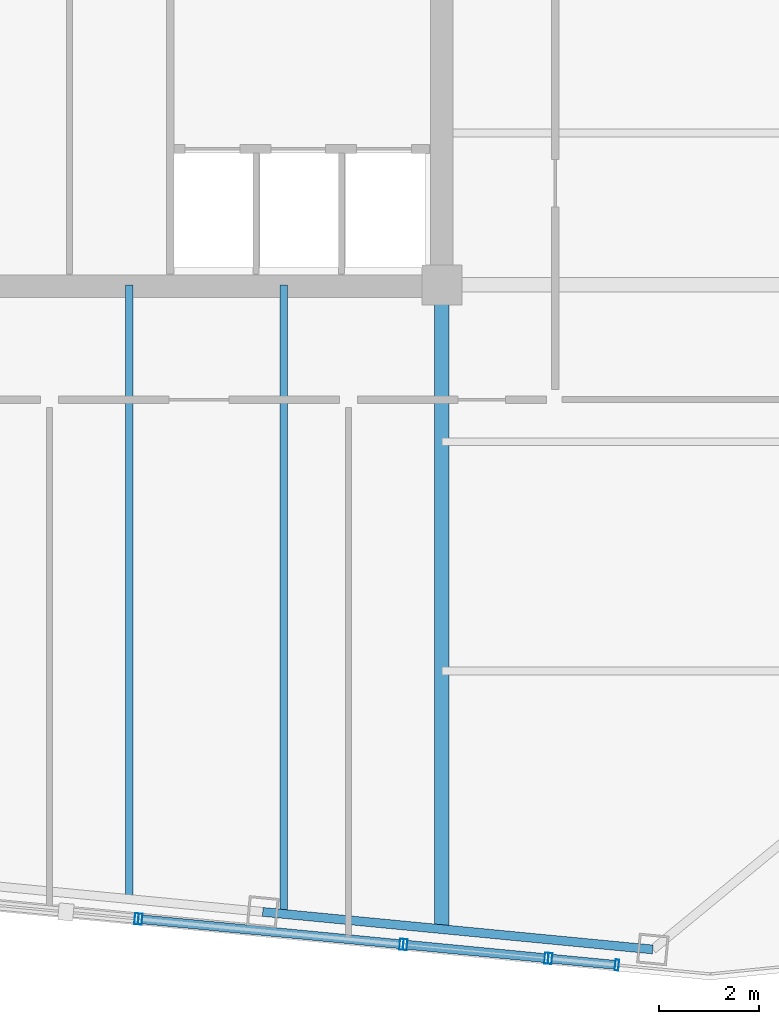
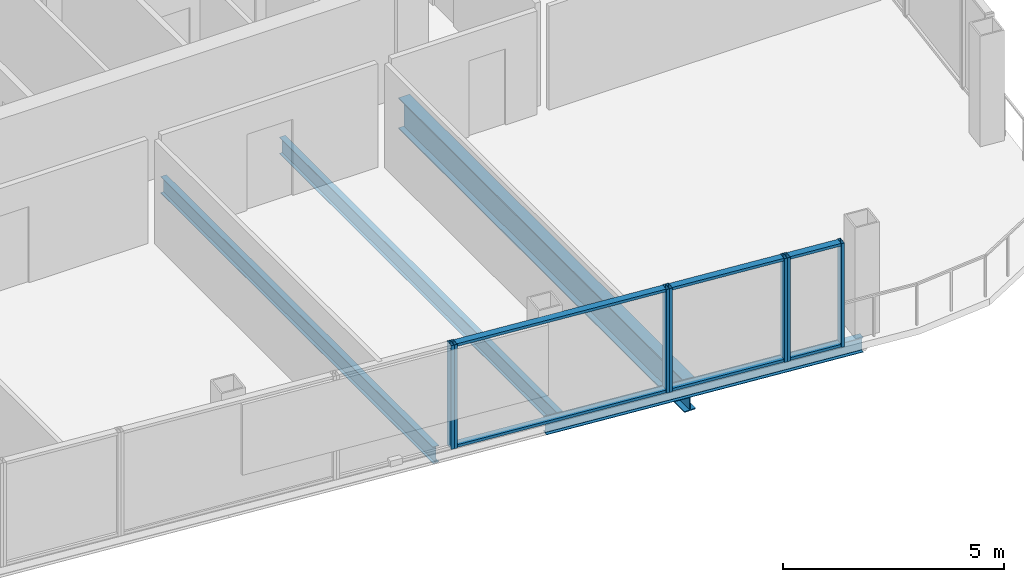
# One storey, part 5 of 23: 13 members, 4 beams, 4 elements without a shape of their own.
"""IFC4 building model written with IfcOpenShell, lengths in metres."""

from ifc_helpers import new_model, si_unit, direction, frame, origin, origin_2d, place, context, subcontext, project, spatial, hollow_rectangle, i_section, extrude, material, layer, layer_set, material_profile, profile_set, type_object, element, aggregate, save


model = new_model("IFC4")

# Units and contexts
model_context = context("Model", 3, precision=1e-05, world=origin(), true_north=direction((0.0, 1.0)))
body_context = subcontext(model_context, "Body", "Model", "MODEL_VIEW")
ifc_project = project(units=[si_unit("LENGTHUNIT", "METRE"), si_unit("AREAUNIT", "SQUARE_METRE"), si_unit("VOLUMEUNIT", "CUBIC_METRE"), si_unit("PLANEANGLEUNIT", "RADIAN"), si_unit("MASSUNIT", "GRAM", prefix="KILO")], contexts=[model_context])

# Site, building, storey
site_placement = place(None, origin())
site = spatial("IfcSite", under=ifc_project, at=site_placement, CompositionType="ELEMENT")
building_placement = place(site_placement, origin())
building = spatial("IfcBuilding", under=site, at=building_placement, Name="Qhalaya Broadcast Tower", CompositionType="ELEMENT")
storey_placement = place(building_placement, frame((0.0, 0.0, 261.14990234375)))
storey = spatial("IfcBuildingStorey", under=building, at=storey_placement, Name="L77", CompositionType="ELEMENT", Elevation=261.14990234375)

# Beams
ifc_material_1 = material(Name="Structural Steel ASTM A992 Grade 50", Category="steel")
ifc_material_profile_1 = material_profile(ifc_material_1, i_section(OverallWidth=0.154052734375, OverallDepth=0.458984375, WebThickness=0.009033203125, FlangeThickness=0.015380859375, at=origin_2d()), Name="W18X46")
ifc_profile_set_1 = profile_set([ifc_material_profile_1], Name="Structural Steel ASTM A992 Grade 50")
beam_type_1 = type_object("IfcBeamType", Name="Composite Floor Joist J04", PredefinedType="JOIST", material=ifc_profile_set_1)
beam_1_placement = place(storey_placement, frame((3.10009765625, -21.058349609375, -0.41943359375), z_axis=(0.0, 1.0, 0.0), x_axis=(-1.0, 0.0, 0.0)))
element("IfcBeam", 1, at=beam_1_placement, inside=storey, type_object=beam_type_1, Name="L77 J04 L77-JNS4-1", PredefinedType="JOIST", context=body_context, shape_type="SweptSolid", body=[
    extrude(i_section(OverallWidth=0.154052734375, OverallDepth=0.458984375, WebThickness=0.009033203125, FlangeThickness=0.015380859375, at=origin_2d()), origin(), (0.0, 0.0, 1.0), 12.308349609375),
])
beam_2_placement = place(storey_placement, frame((6.199951171875, -21.35693359375, -0.41943359375), z_axis=(0.0, 1.0, 0.0), x_axis=(-1.0, 0.0, 0.0)))
element("IfcBeam", 2, at=beam_2_placement, inside=storey, type_object=beam_type_1, Name="L77 J04 L77-JNS5-1", PredefinedType="JOIST", context=body_context, shape_type="SweptSolid", body=[
    extrude(i_section(OverallWidth=0.154052734375, OverallDepth=0.458984375, WebThickness=0.009033203125, FlangeThickness=0.015380859375, at=origin_2d()), origin(), (0.0, 0.0, 1.0), 12.60693359375),
])

# Curtain wall, member
ifc_material_2 = material(Name="Solar-Control Low-E Triple Glazing", Category="glass")
ifc_layer_1 = layer(ifc_material_2, 0.219970703125, Name="Solar-Control Low-E Triple Glazing")
ifc_layer_set_1 = layer_set([ifc_layer_1], Name="Solar-Control Low-E Triple Glazing")
curtain_wall_type_1 = type_object("IfcCurtainWallType", Name="High-Altitude Upper-Shaft Triple Low-E Curtain Wall CW-04", PredefinedType="NOTDEFINED", material=ifc_layer_set_1)
curtain_wall_1_placement = place(storey_placement, origin())
curtain_wall_1 = element("IfcCurtainWall", 3, at=curtain_wall_1_placement, inside=storey, type_object=curtain_wall_type_1, Name="L77 Unitised Curtain Wall L77-CW-S4", PredefinedType="NOTDEFINED")
ifc_material_3 = material(Name="Anodised Aluminium 6063-T6", Category="aluminium")
ifc_material_profile_2 = material_profile(ifc_material_3, hollow_rectangle(XDim=0.074951171875, YDim=0.219970703125, WallThickness=0.00390625, at=origin_2d()), Name="ALU-MUL 75x220x4")
ifc_profile_set_2 = profile_set([ifc_material_profile_2], Name="Anodised Aluminium 6063-T6")
member_type_1 = type_object("IfcMemberType", Name="Unitised Curtain-Wall Mullion M01", PredefinedType="MULLION", material=ifc_profile_set_2)
member_1_placement = place(storey_placement, frame((3.244140625, -21.47412109375, 0.0), z_axis=(0.0, 0.0, 1.0), x_axis=(0.995397805992, -0.095829055234, 0.0)))
member_1 = element("IfcMember", 4, at=member_1_placement, type_object=member_type_1, Name="CW-04 mullion 2", PredefinedType="MULLION", context=body_context, shape_type="SweptSolid", body=[
    extrude(hollow_rectangle(XDim=0.074951171875, YDim=0.219970703125, WallThickness=0.00390625, at=origin_2d()), origin(), (0.0, 0.0, 1.0), 2.860107421875),
])
aggregate(curtain_wall_1, [member_1])

# Curtain wall, members
ifc_material_4 = material(Name="Fired Architectural Terracotta", Category="masonry")
ifc_layer_2 = layer(ifc_material_4, 0.219970703125, Name="Fired Architectural Terracotta")
ifc_layer_set_2 = layer_set([ifc_layer_2], Name="Fired Architectural Terracotta")
curtain_wall_type_2 = type_object("IfcCurtainWallType", Name="Block-Cap Unitised Terracotta Spandrel Wall CW-07", PredefinedType="NOTDEFINED", material=ifc_layer_set_2)
curtain_wall_2_placement = place(storey_placement, origin())
curtain_wall_2 = element("IfcCurtainWall", 5, at=curtain_wall_2_placement, inside=storey, type_object=curtain_wall_type_2, Name="L77 Unitised Curtain Wall L77-CW-S5", PredefinedType="NOTDEFINED")
member_2_placement = place(storey_placement, frame((3.31884765625, -21.4814453125, 0.0), z_axis=(0.0, 0.0, 1.0), x_axis=(0.995396263968, -0.095845071223, 0.0)))
member_2 = element("IfcMember", 6, at=member_2_placement, type_object=member_type_1, Name="CW-07 mullion 1", PredefinedType="MULLION", context=body_context, shape_type="SweptSolid", body=[
    extrude(hollow_rectangle(XDim=0.074951171875, YDim=0.219970703125, WallThickness=0.00390625, at=origin_2d()), origin(), (0.0, 0.0, 1.0), 2.860107421875),
])
member_3_placement = place(storey_placement, frame((8.5625, -21.986328125, 0.0), z_axis=(0.0, 0.0, 1.0), x_axis=(0.995396263968, -0.095845071223, 0.0)))
member_3 = element("IfcMember", 7, at=member_3_placement, type_object=member_type_1, Name="CW-07 mullion 2", PredefinedType="MULLION", context=body_context, shape_type="SweptSolid", body=[
    extrude(hollow_rectangle(XDim=0.074951171875, YDim=0.219970703125, WallThickness=0.00390625, at=origin_2d()), origin(), (0.0, 0.0, 1.0), 2.860107421875),
])

curtain_wall_3_placement = place(storey_placement, origin())
curtain_wall_3 = element("IfcCurtainWall", 8, at=curtain_wall_3_placement, inside=storey, type_object=curtain_wall_type_1, Name="L77 Unitised Curtain Wall L77-CW-S6", PredefinedType="NOTDEFINED")
member_4_placement = place(storey_placement, frame((8.63720703125, -21.993408203125, 0.0), z_axis=(0.0, 0.0, 1.0), x_axis=(0.995394978082, -0.095858424822, 0.0)))
member_4 = element("IfcMember", 9, at=member_4_placement, type_object=member_type_1, Name="CW-04 mullion 1", PredefinedType="MULLION", context=body_context, shape_type="SweptSolid", body=[
    extrude(hollow_rectangle(XDim=0.074951171875, YDim=0.219970703125, WallThickness=0.00390625, at=origin_2d()), origin(), (0.0, 0.0, 1.0), 2.860107421875),
])
member_5_placement = place(storey_placement, frame((11.47216796875, -22.2666015625, 0.0), z_axis=(0.0, 0.0, 1.0), x_axis=(0.995394978082, -0.095858424822, 0.0)))
member_5 = element("IfcMember", 10, at=member_5_placement, type_object=member_type_1, Name="CW-04 mullion 2", PredefinedType="MULLION", context=body_context, shape_type="SweptSolid", body=[
    extrude(hollow_rectangle(XDim=0.074951171875, YDim=0.219970703125, WallThickness=0.00390625, at=origin_2d()), origin(), (0.0, 0.0, 1.0), 2.860107421875),
])

curtain_wall_4_placement = place(storey_placement, origin())
curtain_wall_4 = element("IfcCurtainWall", 11, at=curtain_wall_4_placement, inside=storey, type_object=curtain_wall_type_2, Name="L77 Unitised Curtain Wall L77-CW-S7", PredefinedType="NOTDEFINED")
member_6_placement = place(storey_placement, frame((11.546875, -22.273681640625, 0.0), z_axis=(0.0, 0.0, 1.0), x_axis=(0.995395360914, -0.095854449411, 0.0)))
member_6 = element("IfcMember", 12, at=member_6_placement, type_object=member_type_1, Name="CW-07 mullion 1", PredefinedType="MULLION", context=body_context, shape_type="SweptSolid", body=[
    extrude(hollow_rectangle(XDim=0.074951171875, YDim=0.219970703125, WallThickness=0.00390625, at=origin_2d()), origin(), (0.0, 0.0, 1.0), 2.860107421875),
])
member_7_placement = place(storey_placement, frame((12.887451171875, -22.40283203125, 0.0), z_axis=(0.0, 0.0, 1.0), x_axis=(0.995395360914, -0.095854449411, 0.0)))
member_7 = element("IfcMember", 13, at=member_7_placement, type_object=member_type_1, Name="CW-07 mullion 2", PredefinedType="MULLION", context=body_context, shape_type="SweptSolid", body=[
    extrude(hollow_rectangle(XDim=0.074951171875, YDim=0.219970703125, WallThickness=0.00390625, at=origin_2d()), origin(), (0.0, 0.0, 1.0), 2.860107421875),
])

# Member
ifc_material_profile_3 = material_profile(ifc_material_3, hollow_rectangle(XDim=0.074951171875, YDim=0.179931640625, WallThickness=0.00390625, at=origin_2d()), Name="ALU-TRN 75x180x4")
ifc_profile_set_3 = profile_set([ifc_material_profile_3], Name="Anodised Aluminium 6063-T6")
member_type_2 = type_object("IfcMemberType", Name="Unitised Curtain-Wall Transom T01", PredefinedType="USERDEFINED", material=ifc_profile_set_3)
member_8_placement = place(storey_placement, frame((3.356201171875, -21.485107421875, 0.03759765625), z_axis=(0.995399031506, -0.095816324684, 0.0), x_axis=(0.0, 0.0, 1.0)))
member_8 = element("IfcMember", 14, at=member_8_placement, type_object=member_type_2, Name="CW-07 transom 1.1", ObjectType="TRANSOM", PredefinedType="USERDEFINED", context=body_context, shape_type="SweptSolid", body=[
    extrude(hollow_rectangle(XDim=0.074951171875, YDim=0.179931640625, WallThickness=0.00390625, at=origin_2d()), origin(), (0.0, 0.0, 1.0), 5.19287109375),
])

member_9_placement = place(storey_placement, frame((3.356201171875, -21.485107421875, 2.822509765625), z_axis=(0.995399031506, -0.095816324684, 0.0), x_axis=(0.0, 0.0, 1.0)))
member_9 = element("IfcMember", 15, at=member_9_placement, type_object=member_type_2, Name="CW-07 transom 1.2", ObjectType="TRANSOM", PredefinedType="USERDEFINED", context=body_context, shape_type="SweptSolid", body=[
    extrude(hollow_rectangle(XDim=0.074951171875, YDim=0.179931640625, WallThickness=0.00390625, at=origin_2d()), origin(), (0.0, 0.0, 1.0), 5.19287109375),
])

aggregate(curtain_wall_2, [member_2, member_3, member_8, member_9])

member_10_placement = place(storey_placement, frame((8.674560546875, -21.9970703125, 0.03759765625), z_axis=(0.995393207476, -0.095876809034, 0.0), x_axis=(0.0, 0.0, 1.0)))
member_10 = element("IfcMember", 16, at=member_10_placement, type_object=member_type_2, Name="CW-04 transom 1.1", ObjectType="TRANSOM", PredefinedType="USERDEFINED", context=body_context, shape_type="SweptSolid", body=[
    extrude(hollow_rectangle(XDim=0.074951171875, YDim=0.179931640625, WallThickness=0.00390625, at=origin_2d()), origin(), (0.0, 0.0, 1.0), 2.77294921875),
])

member_11_placement = place(storey_placement, frame((8.674560546875, -21.9970703125, 2.822509765625), z_axis=(0.995393207476, -0.095876809034, 0.0), x_axis=(0.0, 0.0, 1.0)))
member_11 = element("IfcMember", 17, at=member_11_placement, type_object=member_type_2, Name="CW-04 transom 1.2", ObjectType="TRANSOM", PredefinedType="USERDEFINED", context=body_context, shape_type="SweptSolid", body=[
    extrude(hollow_rectangle(XDim=0.074951171875, YDim=0.179931640625, WallThickness=0.00390625, at=origin_2d()), origin(), (0.0, 0.0, 1.0), 2.77294921875),
])

aggregate(curtain_wall_3, [member_4, member_5, member_10, member_11])

member_12_placement = place(storey_placement, frame((11.584228515625, -22.27734375, 0.03759765625), z_axis=(0.995402696901, -0.095778238672, 0.0), x_axis=(0.0, 0.0, 1.0)))
member_12 = element("IfcMember", 18, at=member_12_placement, type_object=member_type_2, Name="CW-07 transom 1.1", ObjectType="TRANSOM", PredefinedType="USERDEFINED", context=body_context, shape_type="SweptSolid", body=[
    extrude(hollow_rectangle(XDim=0.074951171875, YDim=0.179931640625, WallThickness=0.00390625, at=origin_2d()), origin(), (0.0, 0.0, 1.0), 1.27197265625),
])

member_13_placement = place(storey_placement, frame((11.584228515625, -22.27734375, 2.822509765625), z_axis=(0.995402696901, -0.095778238672, 0.0), x_axis=(0.0, 0.0, 1.0)))
member_13 = element("IfcMember", 19, at=member_13_placement, type_object=member_type_2, Name="CW-07 transom 1.2", ObjectType="TRANSOM", PredefinedType="USERDEFINED", context=body_context, shape_type="SweptSolid", body=[
    extrude(hollow_rectangle(XDim=0.074951171875, YDim=0.179931640625, WallThickness=0.00390625, at=origin_2d()), origin(), (0.0, 0.0, 1.0), 1.27197265625),
])

aggregate(curtain_wall_4, [member_6, member_7, member_12, member_13])

# Beams
ifc_material_profile_4 = material_profile(ifc_material_1, i_section(OverallWidth=0.2919921875, OverallDepth=0.85888671875, WebThickness=0.01708984375, FlangeThickness=0.031005859375, at=origin_2d()), Name="W33X169")
ifc_profile_set_4 = profile_set([ifc_material_profile_4], Name="Structural Steel ASTM A992 Grade 50")
beam_type_2 = type_object("IfcBeamType", Name="Upper Block Primary Girder PG4", PredefinedType="USERDEFINED", material=ifc_profile_set_4)
beam_3_placement = place(storey_placement, frame((9.375, -21.66259765625, -0.619384765625), z_axis=(0.0, 1.0, 0.0), x_axis=(-1.0, 0.0, 0.0)))
element("IfcBeam", 20, at=beam_3_placement, inside=storey, type_object=beam_type_2, Name="L77 PG4 L77-PGXS2-1", ObjectType="GIRDER", PredefinedType="USERDEFINED", context=body_context, shape_type="SweptSolid", body=[
    extrude(i_section(OverallWidth=0.2919921875, OverallDepth=0.85888671875, WebThickness=0.01708984375, FlangeThickness=0.031005859375, at=origin_2d()), origin(), (0.0, 0.0, 1.0), 12.91259765625),
])
ifc_material_profile_5 = material_profile(ifc_material_1, i_section(OverallWidth=0.177978515625, OverallDepth=0.406005859375, WebThickness=0.0078125, FlangeThickness=0.0126953125, at=origin_2d()), Name="W16X40")
ifc_profile_set_5 = profile_set([ifc_material_profile_5], Name="Structural Steel ASTM A992 Grade 50")
beam_type_3 = type_object("IfcBeamType", Name="Upper Perimeter Spandrel Beam SP2", PredefinedType="SPANDREL", material=ifc_profile_set_5)
beam_4_placement = place(storey_placement, frame((5.77783203125, -21.33642578125, -0.392822265625), z_axis=(0.995397308407, -0.095834223619, 0.0), x_axis=(0.095834223619, 0.995397308407, 0.0)))
element("IfcBeam", 21, at=beam_4_placement, inside=storey, type_object=beam_type_3, Name="L77 SP2 L77-SPR-03", PredefinedType="SPANDREL", context=body_context, shape_type="SweptSolid", body=[
    extrude(i_section(OverallWidth=0.177978515625, OverallDepth=0.406005859375, WebThickness=0.0078125, FlangeThickness=0.0126953125, at=origin_2d()), origin(), (0.0, 0.0, 1.0), 7.86669921875),
])

save(model, "model.ifc")
